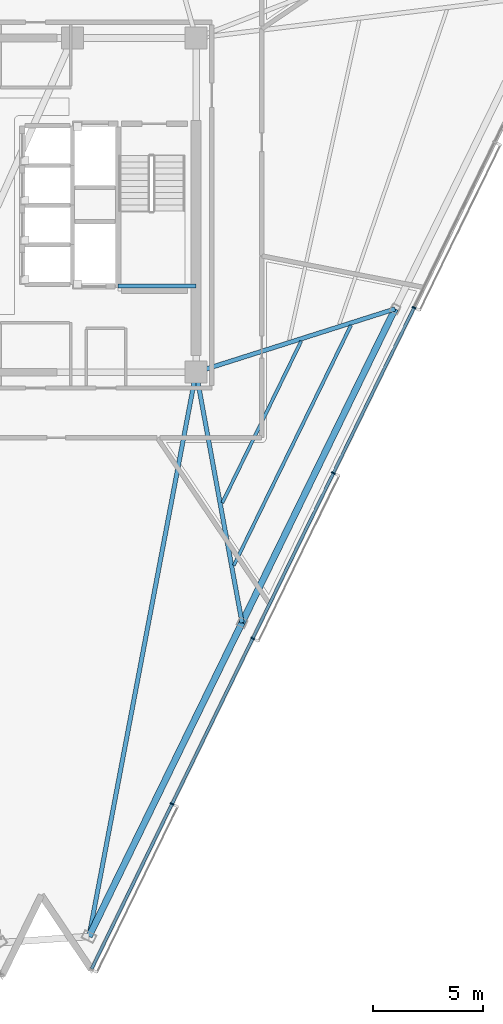
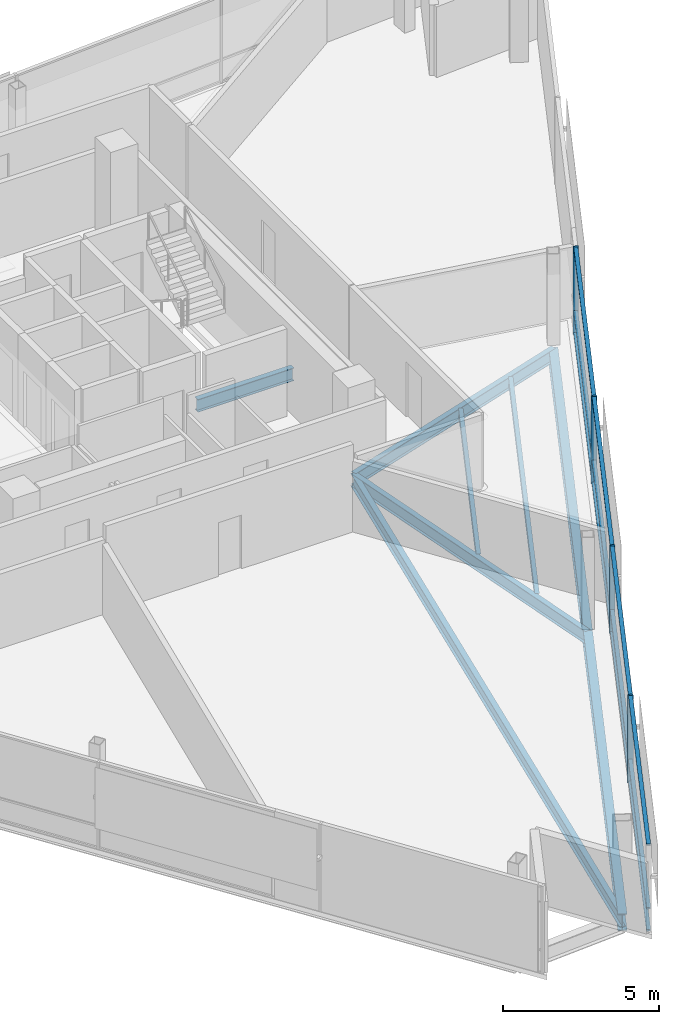
# One storey, part 4 of 16: 16 members, 8 beams, 1 element without a shape of its own.
"""IFC4 building model written with IfcOpenShell, lengths in metres."""

from ifc_helpers import new_model, si_unit, direction, frame, origin, origin_2d, place, context, subcontext, project, spatial, rectangle, i_section, extrude, material, layer, layer_set, material_profile, profile_set, type_object, element, aggregate, save


model = new_model("IFC4")

# Units and contexts
model_context = context("Model", 3, precision=1e-05, world=origin(), true_north=direction((0.0, 1.0)))
body_context = subcontext(model_context, "Body", "Model", "MODEL_VIEW")
ifc_project = project(units=[si_unit("LENGTHUNIT", "METRE"), si_unit("AREAUNIT", "SQUARE_METRE"), si_unit("VOLUMEUNIT", "CUBIC_METRE"), si_unit("PLANEANGLEUNIT", "RADIAN"), si_unit("MASSUNIT", "GRAM", prefix="KILO")], contexts=[model_context])

# Site, building, storey
site_placement = place(None, origin())
site = spatial("IfcSite", under=ifc_project, at=site_placement, CompositionType="ELEMENT")
building_placement = place(site_placement, origin())
building = spatial("IfcBuilding", under=site, at=building_placement, Name="Tharavind Bronze Gate", CompositionType="ELEMENT")
storey_placement = place(building_placement, frame((0.0, 0.0, 264.199951171875)))
storey = spatial("IfcBuildingStorey", under=building, at=storey_placement, Name="L68", CompositionType="ELEMENT", Elevation=264.199951171875)

# Curtain wall, members
ifc_material_1 = material(Name="Anodised Bronze Aluminium", Category="aluminium")
ifc_layer = layer(ifc_material_1, 0.219970703125)
ifc_layer_set = layer_set([ifc_layer], Name="Anodised Bronze Aluminium")
curtain_wall_type = type_object("IfcCurtainWallType", Name="UNITISED CURTAIN WALL UPPER OFFICE", PredefinedType="USERDEFINED", material=ifc_layer_set)
curtain_wall_placement = place(storey_placement, origin())
curtain_wall = element("IfcCurtainWall", 1, at=curtain_wall_placement, inside=storey, type_object=curtain_wall_type, Name="L68 unitised curtain wall upper office CW-L68-S2", ObjectType="UNITISED CURTAIN WALL", PredefinedType="USERDEFINED")
member_type_1 = type_object("IfcMemberType", Name="CURTAIN WALL BRONZE MULLION 65X180", PredefinedType="MULLION", material=ifc_material_1)
member_1_placement = place(storey_placement, frame((7.80419921875, -27.236572265625, 0.0), z_axis=(0.0, 0.0, 1.0), x_axis=(0.43837271548, 0.898793281196, 0.0)))
member_1 = element("IfcMember", 2, at=member_1_placement, type_object=member_type_1, Name="CW-L68-S2 mullion 2", PredefinedType="MULLION", context=body_context, shape_type="SweptSolid", body=[
    extrude(rectangle(XDim=0.06494140625, YDim=0.179931640625, at=origin_2d()), origin(), (0.0, 0.0, 1.0), 3.419921875),
])
member_2_placement = place(storey_placement, frame((11.474365234375, -19.711669921875, 0.0), z_axis=(0.0, 0.0, 1.0), x_axis=(0.43837271548, 0.898793281196, 0.0)))
member_2 = element("IfcMember", 3, at=member_2_placement, type_object=member_type_1, Name="CW-L68-S2 mullion 3", PredefinedType="MULLION", context=body_context, shape_type="SweptSolid", body=[
    extrude(rectangle(XDim=0.06494140625, YDim=0.179931640625, at=origin_2d()), origin(), (0.0, 0.0, 1.0), 3.419921875),
])
member_3_placement = place(storey_placement, frame((15.144775390625, -12.1865234375, 0.0), z_axis=(0.0, 0.0, 1.0), x_axis=(0.43837271548, 0.898793281196, 0.0)))
member_3 = element("IfcMember", 4, at=member_3_placement, type_object=member_type_1, Name="CW-L68-S2 mullion 4", PredefinedType="MULLION", context=body_context, shape_type="SweptSolid", body=[
    extrude(rectangle(XDim=0.06494140625, YDim=0.179931640625, at=origin_2d()), origin(), (0.0, 0.0, 1.0), 3.419921875),
])
member_4_placement = place(storey_placement, frame((18.81494140625, -4.66162109375, 0.0), z_axis=(0.0, 0.0, 1.0), x_axis=(0.43837271548, 0.898793281196, 0.0)))
member_4 = element("IfcMember", 5, at=member_4_placement, type_object=member_type_1, Name="CW-L68-S2 mullion 5", PredefinedType="MULLION", context=body_context, shape_type="SweptSolid", body=[
    extrude(rectangle(XDim=0.06494140625, YDim=0.179931640625, at=origin_2d()), origin(), (0.0, 0.0, 1.0), 3.419921875),
])
member_type_2 = type_object("IfcMemberType", Name="CURTAIN WALL BRONZE TRANSOM 65X140", PredefinedType="USERDEFINED", material=ifc_material_1)
member_5_placement = place(storey_placement, frame((5.968994140625, -30.9990234375, 0.0), z_axis=(0.0, 0.0, 1.0), x_axis=(0.43837271548, 0.898793281196, 0.0)))
member_5 = element("IfcMember", 6, at=member_5_placement, type_object=member_type_2, Name="CW-L68-S2 transom TB1", ObjectType="TRANSOM", PredefinedType="USERDEFINED", context=body_context, shape_type="SweptSolid", body=[
    extrude(rectangle(XDim=8.3193359375, YDim=0.139892578125, at=origin_2d()), origin(), (0.0, 0.0, 1.0), 0.06494140625),
])
member_6_placement = place(storey_placement, frame((5.968994140625, -30.9990234375, 0.86767578125), z_axis=(0.0, 0.0, 1.0), x_axis=(0.43837271548, 0.898793281196, 0.0)))
member_6 = element("IfcMember", 7, at=member_6_placement, type_object=member_type_2, Name="CW-L68-S2 transom TS1", ObjectType="TRANSOM", PredefinedType="USERDEFINED", context=body_context, shape_type="SweptSolid", body=[
    extrude(rectangle(XDim=8.3193359375, YDim=0.139892578125, at=origin_2d()), origin(), (0.0, 0.0, 1.0), 0.06494140625),
])
member_7_placement = place(storey_placement, frame((5.968994140625, -30.9990234375, 3.35498046875), z_axis=(0.0, 0.0, 1.0), x_axis=(0.43837271548, 0.898793281196, 0.0)))
member_7 = element("IfcMember", 8, at=member_7_placement, type_object=member_type_2, Name="CW-L68-S2 transom TT1", ObjectType="TRANSOM", PredefinedType="USERDEFINED", context=body_context, shape_type="SweptSolid", body=[
    extrude(rectangle(XDim=8.3193359375, YDim=0.139892578125, at=origin_2d()), origin(), (0.0, 0.0, 1.0), 0.06494140625),
])
member_8_placement = place(storey_placement, frame((9.639404296875, -23.47412109375, 0.0), z_axis=(0.0, 0.0, 1.0), x_axis=(0.43837271548, 0.898793281196, 0.0)))
member_8 = element("IfcMember", 9, at=member_8_placement, type_object=member_type_2, Name="CW-L68-S2 transom TB2", ObjectType="TRANSOM", PredefinedType="USERDEFINED", context=body_context, shape_type="SweptSolid", body=[
    extrude(rectangle(XDim=8.3193359375, YDim=0.139892578125, at=origin_2d()), origin(), (0.0, 0.0, 1.0), 0.06494140625),
])
member_9_placement = place(storey_placement, frame((9.639404296875, -23.47412109375, 0.86767578125), z_axis=(0.0, 0.0, 1.0), x_axis=(0.43837271548, 0.898793281196, 0.0)))
member_9 = element("IfcMember", 10, at=member_9_placement, type_object=member_type_2, Name="CW-L68-S2 transom TS2", ObjectType="TRANSOM", PredefinedType="USERDEFINED", context=body_context, shape_type="SweptSolid", body=[
    extrude(rectangle(XDim=8.3193359375, YDim=0.139892578125, at=origin_2d()), origin(), (0.0, 0.0, 1.0), 0.06494140625),
])
member_10_placement = place(storey_placement, frame((9.639404296875, -23.47412109375, 3.35498046875), z_axis=(0.0, 0.0, 1.0), x_axis=(0.43837271548, 0.898793281196, 0.0)))
member_10 = element("IfcMember", 11, at=member_10_placement, type_object=member_type_2, Name="CW-L68-S2 transom TT2", ObjectType="TRANSOM", PredefinedType="USERDEFINED", context=body_context, shape_type="SweptSolid", body=[
    extrude(rectangle(XDim=8.3193359375, YDim=0.139892578125, at=origin_2d()), origin(), (0.0, 0.0, 1.0), 0.06494140625),
])
member_11_placement = place(storey_placement, frame((13.3095703125, -15.94921875, 0.0), z_axis=(0.0, 0.0, 1.0), x_axis=(0.43837271548, 0.898793281196, 0.0)))
member_11 = element("IfcMember", 12, at=member_11_placement, type_object=member_type_2, Name="CW-L68-S2 transom TB3", ObjectType="TRANSOM", PredefinedType="USERDEFINED", context=body_context, shape_type="SweptSolid", body=[
    extrude(rectangle(XDim=8.3193359375, YDim=0.139892578125, at=origin_2d()), origin(), (0.0, 0.0, 1.0), 0.06494140625),
])
member_12_placement = place(storey_placement, frame((13.3095703125, -15.94921875, 0.86767578125), z_axis=(0.0, 0.0, 1.0), x_axis=(0.43837271548, 0.898793281196, 0.0)))
member_12 = element("IfcMember", 13, at=member_12_placement, type_object=member_type_2, Name="CW-L68-S2 transom TS3", ObjectType="TRANSOM", PredefinedType="USERDEFINED", context=body_context, shape_type="SweptSolid", body=[
    extrude(rectangle(XDim=8.3193359375, YDim=0.139892578125, at=origin_2d()), origin(), (0.0, 0.0, 1.0), 0.06494140625),
])
member_13_placement = place(storey_placement, frame((13.3095703125, -15.94921875, 3.35498046875), z_axis=(0.0, 0.0, 1.0), x_axis=(0.43837271548, 0.898793281196, 0.0)))
member_13 = element("IfcMember", 14, at=member_13_placement, type_object=member_type_2, Name="CW-L68-S2 transom TT3", ObjectType="TRANSOM", PredefinedType="USERDEFINED", context=body_context, shape_type="SweptSolid", body=[
    extrude(rectangle(XDim=8.3193359375, YDim=0.139892578125, at=origin_2d()), origin(), (0.0, 0.0, 1.0), 0.06494140625),
])
member_14_placement = place(storey_placement, frame((16.979736328125, -8.424072265625, 0.0), z_axis=(0.0, 0.0, 1.0), x_axis=(0.43837271548, 0.898793281196, 0.0)))
member_14 = element("IfcMember", 15, at=member_14_placement, type_object=member_type_2, Name="CW-L68-S2 transom TB4", ObjectType="TRANSOM", PredefinedType="USERDEFINED", context=body_context, shape_type="SweptSolid", body=[
    extrude(rectangle(XDim=8.3193359375, YDim=0.139892578125, at=origin_2d()), origin(), (0.0, 0.0, 1.0), 0.06494140625),
])
member_15_placement = place(storey_placement, frame((16.979736328125, -8.424072265625, 0.86767578125), z_axis=(0.0, 0.0, 1.0), x_axis=(0.43837271548, 0.898793281196, 0.0)))
member_15 = element("IfcMember", 16, at=member_15_placement, type_object=member_type_2, Name="CW-L68-S2 transom TS4", ObjectType="TRANSOM", PredefinedType="USERDEFINED", context=body_context, shape_type="SweptSolid", body=[
    extrude(rectangle(XDim=8.3193359375, YDim=0.139892578125, at=origin_2d()), origin(), (0.0, 0.0, 1.0), 0.06494140625),
])
member_16_placement = place(storey_placement, frame((16.979736328125, -8.424072265625, 3.35498046875), z_axis=(0.0, 0.0, 1.0), x_axis=(0.43837271548, 0.898793281196, 0.0)))
member_16 = element("IfcMember", 17, at=member_16_placement, type_object=member_type_2, Name="CW-L68-S2 transom TT4", ObjectType="TRANSOM", PredefinedType="USERDEFINED", context=body_context, shape_type="SweptSolid", body=[
    extrude(rectangle(XDim=8.3193359375, YDim=0.139892578125, at=origin_2d()), origin(), (0.0, 0.0, 1.0), 0.06494140625),
])
aggregate(curtain_wall, [member_1, member_2, member_3, member_4, member_5, member_6, member_7, member_8, member_9, member_10, member_11, member_12, member_13, member_14, member_15, member_16])

# Beams
ifc_material_2 = material(Name="Steel S355", Category="steel")
ifc_material_profile_1 = material_profile(ifc_material_2, i_section(OverallWidth=0.300048828125, OverallDepth=0.64990234375, WebThickness=0.01611328125, FlangeThickness=0.031005859375, at=origin_2d()), Name="HE650B")
ifc_profile_set_1 = profile_set([ifc_material_profile_1], Name="Steel S355")
beam_type_1 = type_object("IfcBeamType", Name="PRIMARY GIRDER HE650B", PredefinedType="USERDEFINED", material=ifc_profile_set_1)
for number, where, z_axis, x_axis, name in (
    (18, (4.029296875, -33.26513671875, -0.5048828125), (0.43838485681, 0.898787359346, 0.0), (-0.898787359346, 0.43838485681, 0.0), "L68 primary girder he650b BM-L68-PRG05"),
    (19, (10.990234375, -18.99365234375, -0.5048828125), (0.438366378116, 0.898796372121, 0.0), (-0.898796372121, 0.438366378116, 0.0), "L68 primary girder he650b BM-L68-PRG06"),
):
    element("IfcBeam", number, at=place(storey_placement, frame(where, z_axis=z_axis, x_axis=x_axis)), inside=storey, type_object=beam_type_1, Name=name, ObjectType="GIRDER", PredefinedType="USERDEFINED", context=body_context, shape_type="SweptSolid", body=[
        extrude(i_section(OverallWidth=0.300048828125, OverallDepth=0.64990234375, WebThickness=0.01611328125, FlangeThickness=0.031005859375, at=origin_2d()), origin(), (0.0, 0.0, 1.0), 15.878662109375),
    ])
ifc_material_profile_2 = material_profile(ifc_material_2, i_section(OverallWidth=0.199951171875, OverallDepth=0.5, WebThickness=0.01025390625, FlangeThickness=0.01611328125, at=origin_2d()), Name="IPE500")
ifc_profile_set_2 = profile_set([ifc_material_profile_2], Name="Steel S355")
beam_type_2 = type_object("IfcBeamType", Name="PRIMARY GIRDER IPE500", PredefinedType="USERDEFINED", material=ifc_profile_set_2)
beam_1_placement = place(storey_placement, frame((5.35009765625, -3.679931640625, 1.35009765625), z_axis=(1.0, 0.0, 0.0), x_axis=(0.0, 1.0, 0.0)))
element("IfcBeam", 20, at=beam_1_placement, inside=storey, type_object=beam_type_2, Name="L68 primary girder ipe500 BM-LD-ST2-L68-1", ObjectType="GIRDER", PredefinedType="USERDEFINED", context=body_context, shape_type="SweptSolid", body=[
    extrude(i_section(OverallWidth=0.199951171875, OverallDepth=0.5, WebThickness=0.01025390625, FlangeThickness=0.01611328125, at=origin_2d()), origin(), (0.0, 0.0, 1.0), 3.5498046875),
])
beam_2_placement = place(storey_placement, frame((4.029296875, -33.26513671875, -0.429931640625), z_axis=(0.186448126873, 0.982464806487, 0.0), x_axis=(-0.982464806487, 0.186448126873, 0.0)))
element("IfcBeam", 21, at=beam_2_placement, inside=storey, type_object=beam_type_2, Name="L68 primary girder ipe500 BM-L68-RAD05", ObjectType="GIRDER", PredefinedType="USERDEFINED", context=body_context, shape_type="SweptSolid", body=[
    extrude(i_section(OverallWidth=0.199951171875, OverallDepth=0.5, WebThickness=0.01025390625, FlangeThickness=0.01611328125, at=origin_2d()), origin(), (0.0, 0.0, 1.0), 26.123046875),
])
beam_3_placement = place(storey_placement, frame((10.990234375, -18.99365234375, -0.429931640625), z_axis=(-0.180454290484, 0.98358337168, 0.0), x_axis=(-0.98358337168, -0.180454290484, 0.0)))
element("IfcBeam", 22, at=beam_3_placement, inside=storey, type_object=beam_type_2, Name="L68 primary girder ipe500 BM-L68-RAD06", ObjectType="GIRDER", PredefinedType="USERDEFINED", context=body_context, shape_type="SweptSolid", body=[
    extrude(i_section(OverallWidth=0.199951171875, OverallDepth=0.5, WebThickness=0.01025390625, FlangeThickness=0.01611328125, at=origin_2d()), origin(), (0.0, 0.0, 1.0), 11.583740234375),
])
beam_4_placement = place(storey_placement, frame((17.950927734375, -4.721923828125, -0.429931640625), z_axis=(-0.952977418186, -0.303041318021, 0.0), x_axis=(0.303041318021, -0.952977418186, 0.0)))
element("IfcBeam", 23, at=beam_4_placement, inside=storey, type_object=beam_type_2, Name="L68 primary girder ipe500 BM-L68-RAD07", ObjectType="GIRDER", PredefinedType="USERDEFINED", context=body_context, shape_type="SweptSolid", body=[
    extrude(i_section(OverallWidth=0.199951171875, OverallDepth=0.5, WebThickness=0.01025390625, FlangeThickness=0.01611328125, at=origin_2d()), origin(), (0.0, 0.0, 1.0), 9.49755859375),
])
ifc_material_profile_3 = material_profile(ifc_material_2, i_section(OverallWidth=0.14990234375, OverallDepth=0.300048828125, WebThickness=0.007080078125, FlangeThickness=0.0107421875, at=origin_2d()), Name="IPE300")
ifc_profile_set_3 = profile_set([ifc_material_profile_3], Name="Steel S355")
beam_type_3 = type_object("IfcBeamType", Name="SECONDARY FLOOR JOIST IPE300", PredefinedType="JOIST", material=ifc_profile_set_3)
beam_5_placement = place(storey_placement, frame((10.093994140625, -13.54052734375, -0.329833984375), z_axis=(0.438357774769, 0.898800568146, 0.0), x_axis=(-0.898800568146, 0.438357774769, 0.0)))
element("IfcBeam", 24, at=beam_5_placement, inside=storey, type_object=beam_type_3, Name="L68 secondary floor joist ipe300 BM-L68-JSTA06", PredefinedType="JOIST", context=body_context, shape_type="SweptSolid", body=[
    extrude(i_section(OverallWidth=0.14990234375, OverallDepth=0.300048828125, WebThickness=0.007080078125, FlangeThickness=0.0107421875, at=origin_2d()), origin(), (0.0, 0.0, 1.0), 8.180419921875),
])
beam_6_placement = place(storey_placement, frame((10.616455078125, -16.388916015625, -0.329833984375), z_axis=(0.438366623032, 0.898796252669, 0.0), x_axis=(-0.898796252669, 0.438366623032, 0.0)))
element("IfcBeam", 25, at=beam_6_placement, inside=storey, type_object=beam_type_3, Name="L68 secondary floor joist ipe300 BM-L68-JSTB06", PredefinedType="JOIST", context=body_context, shape_type="SweptSolid", body=[
    extrude(i_section(OverallWidth=0.14990234375, OverallDepth=0.300048828125, WebThickness=0.007080078125, FlangeThickness=0.0107421875, at=origin_2d()), origin(), (0.0, 0.0, 1.0), 12.150146484375),
])

save(model, "model.ifc")
